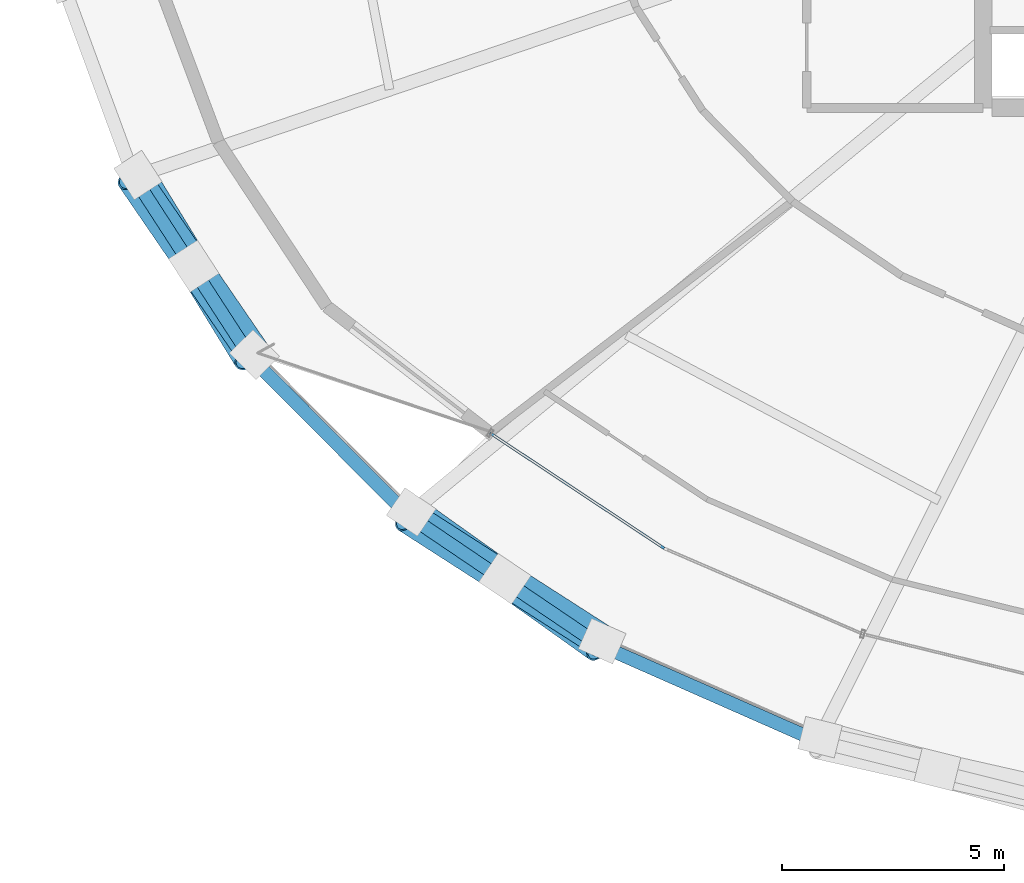
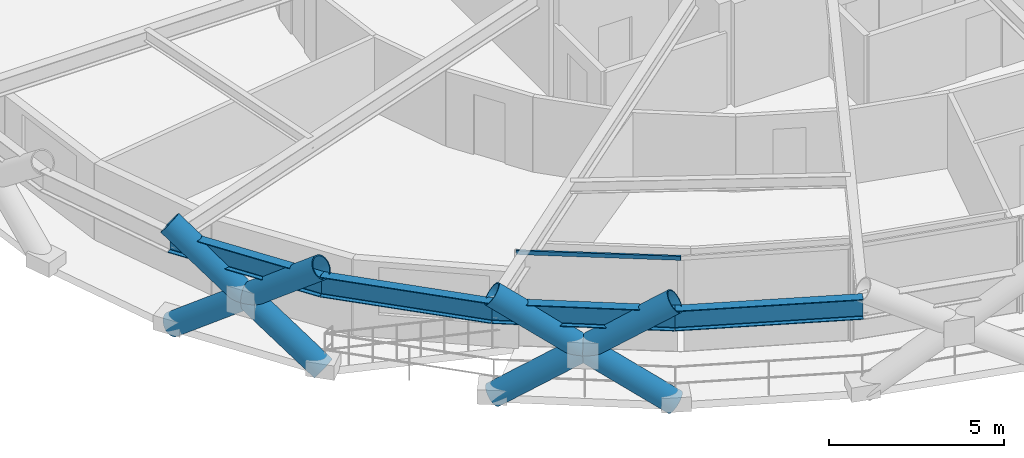
# One storey, part 1 of 19: 7 members, 4 beams, 1 element without a shape of its own.
"""IFC4 building model written with IfcOpenShell, lengths in metres."""

import ifcopenshell
import ifcopenshell.guid

model = None  # the IFC model being written
_history = None  # IfcOwnerHistory: only IFC2X3 demands one
_inside = {}  # id of a spatial element -> (the spatial element, [elements in it])
_under = {}  # id of a project, library or spatial element -> (it, [spatial elements below it])
_declared = {}  # id of a project -> (the project, [libraries it declares])
_typed = {}  # id of a type object -> (the type object, [elements of that type])
_made_of = {}  # id of a material, layer set ... -> (it, [elements and type objects made of it])


def new_model(schema):
    """Start an empty IFC model of exactly this schema.

    Asked for "IFC4X3", IfcOpenShell would pick the latest addendum, in which some entities
    have other attributes; the version numbers below select the first issue.
    IFC2X3 requires an IfcOwnerHistory on every rooted entity: one is made here for all.
    """
    global model, _history
    if schema == "IFC4X3":
        model = ifcopenshell.file(schema_version=(4, 3, 0, 0))
    else:
        model = ifcopenshell.file(schema=schema)
    _inside.clear()
    _under.clear()
    _declared.clear()
    _typed.clear()
    _made_of.clear()
    _history = None
    if model.schema == "IFC2X3":
        org = make("IfcOrganization", Name="unknown")
        user = make(
            "IfcPersonAndOrganization",
            ThePerson=make("IfcPerson", FamilyName="unknown"),
            TheOrganization=org,
        )
        app = make(
            "IfcApplication",
            ApplicationDeveloper=org,
            Version="unknown",
            ApplicationFullName="unknown",
            ApplicationIdentifier="unknown",
        )
        _history = make(
            "IfcOwnerHistory",
            OwningUser=user,
            OwningApplication=app,
            ChangeAction="ADDED",
            CreationDate=0,
        )
    return model


def make(cls, **values):
    """One entity of the class cls with the attributes given. An attribute that is None is left unset."""
    return model.create_entity(
        cls, **{name: value for name, value in values.items() if value is not None}
    )


def rooted(cls, **values):
    """An entity with a GlobalId (a new one), such as an element, a storey or a relation."""
    return make(cls, GlobalId=ifcopenshell.guid.new(), OwnerHistory=_history, **values)


def si_unit(unit_type, name, prefix=None):
    """IfcSIUnit, for example si_unit("LENGTHUNIT", "METRE", prefix="MILLI")."""
    return make("IfcSIUnit", UnitType=unit_type, Prefix=prefix, Name=name)


def assignment(units):
    """IfcUnitAssignment: the units of a project."""
    return None if units is None else make("IfcUnitAssignment", Units=units)


def point(xyz):
    """IfcCartesianPoint."""
    return None if xyz is None else make("IfcCartesianPoint", Coordinates=xyz)


def direction(xyz):
    """IfcDirection."""
    return None if xyz is None else make("IfcDirection", DirectionRatios=xyz)


def frame(location, z_axis=None, x_axis=None):
    """IfcAxis2Placement3D, a coordinate frame: its origin and axes. An axis left out is left unset."""
    return make(
        "IfcAxis2Placement3D",
        Location=point(location),
        Axis=direction(z_axis),
        RefDirection=direction(x_axis),
    )


def frame_2d(location, x_axis=None):
    """IfcAxis2Placement2D, a coordinate frame in the plane: its origin and x axis."""
    return make(
        "IfcAxis2Placement2D", Location=point(location), RefDirection=direction(x_axis)
    )


def origin():
    """The frame at (0, 0, 0) with its axes left unset."""
    return frame((0.0, 0.0, 0.0))


def origin_2d():
    """The frame at (0, 0) in the plane with its x axis left unset."""
    return frame_2d((0.0, 0.0))


def place(relative_to, where):
    """IfcLocalPlacement: puts the frame where relative to a parent placement (None: the world)."""
    return make(
        "IfcLocalPlacement", PlacementRelTo=relative_to, RelativePlacement=where
    )


def context(
    kind, dimensions, precision=None, world=None, true_north=None, identifier=None
):
    """IfcGeometricRepresentationContext, for example the 3D "Model" context."""
    return make(
        "IfcGeometricRepresentationContext",
        ContextIdentifier=identifier,
        ContextType=kind,
        CoordinateSpaceDimension=dimensions,
        Precision=precision,
        WorldCoordinateSystem=world,
        TrueNorth=true_north,
    )


def subcontext(parent, identifier, kind, view, scale=None):
    """IfcGeometricRepresentationSubContext, for example "Body" below "Model"."""
    return make(
        "IfcGeometricRepresentationSubContext",
        ContextIdentifier=identifier,
        ContextType=kind,
        ParentContext=parent,
        TargetScale=scale,
        TargetView=view,
    )


def project(units=None, contexts=None):
    """IfcProject with its units and contexts."""
    return rooted(
        "IfcProject",
        Name="project",
        RepresentationContexts=contexts,
        UnitsInContext=assignment(units),
    )


def spatial(cls, under=None, at=None, **own):
    """A site, building, storey or space (cls), placed at a placement, below another one or the project."""
    s = rooted(cls, ObjectPlacement=at, **own)
    if under is not None:
        _under.setdefault(under.id(), (under, []))[1].append(s)
    return s


def profile(cls, at=None, kind="AREA", **sizes):
    """A parametric profile (cls). Its sizes go by their IFC names, for example OverallWidth=200.0."""
    return make(cls, ProfileType=kind, Position=at, **sizes)


def hollow_rectangle(**sizes):
    """IfcRectangleHollowProfileDef."""
    return profile("IfcRectangleHollowProfileDef", **sizes)


def hollow_circle(**sizes):
    """IfcCircleHollowProfileDef."""
    return profile("IfcCircleHollowProfileDef", **sizes)


def i_section(**sizes):
    """IfcIShapeProfileDef."""
    return profile("IfcIShapeProfileDef", **sizes)


def extrude(swept, where, along, depth):
    """IfcExtrudedAreaSolid: the profile swept, set in the frame where, extruded along a direction by depth."""
    return make(
        "IfcExtrudedAreaSolid",
        SweptArea=swept,
        Position=where,
        ExtrudedDirection=direction(along),
        Depth=depth,
    )


def shape(context_of_items, identifier, shape_type, items):
    """IfcShapeRepresentation: the items that make up one representation, for example the "Body"."""
    return make(
        "IfcShapeRepresentation",
        ContextOfItems=context_of_items,
        RepresentationIdentifier=identifier,
        RepresentationType=shape_type,
        Items=items,
    )


def material(Name=None, Category=None):
    """IfcMaterial."""
    return make("IfcMaterial", Name=Name, Category=Category)


def layer(
    of_material, thickness, ventilated=None, Name=None, Category=None, Priority=None
):
    """IfcMaterialLayer: one layer of a wall or slab, of a material (None: an air gap)."""
    return make(
        "IfcMaterialLayer",
        Material=of_material,
        LayerThickness=thickness,
        IsVentilated=ventilated,
        Name=Name,
        Category=Category,
        Priority=Priority,
    )


def layer_set(layers, Name=None):
    """IfcMaterialLayerSet."""
    return make("IfcMaterialLayerSet", MaterialLayers=layers, LayerSetName=Name)


def material_profile(
    of_material, cross_section, Name=None, Category=None, Priority=None
):
    """IfcMaterialProfile: a cross section and its material."""
    return make(
        "IfcMaterialProfile",
        Name=Name,
        Material=of_material,
        Profile=cross_section,
        Priority=Priority,
        Category=Category,
    )


def profile_set(profiles, Name=None, composite=None):
    """IfcMaterialProfileSet."""
    return make(
        "IfcMaterialProfileSet",
        Name=Name,
        MaterialProfiles=profiles,
        CompositeProfile=composite,
    )


def made_of(thing, what):
    """Note that an element or type object is made of a material, layer set ...; save() writes the relation."""
    if what is not None:
        _made_of.setdefault(what.id(), (what, []))[1].append(thing)
    return thing


def type_object(cls, material=None, **own):
    """A type object (cls), such as IfcWallType, which elements share."""
    return made_of(rooted(cls, **own), material)


def element(
    cls,
    number,
    at=None,
    inside=None,
    cuts=None,
    type_object=None,
    material=None,
    context=None,
    identifier="Body",
    shape_type=None,
    held_by="IfcProductDefinitionShape",
    body=None,
    shapes=None,
    **own,
):
    """One element of the class cls, such as IfcWall. Its Tag is "e" and its number.

    at: its placement. inside: the storey or other place that contains it. cuts: it is an
    opening in that element (IfcRelVoidsElement). A single representation is given by context,
    identifier, shape_type and body (its items); several are given by shapes. held_by: the class
    of the entity that holds the representations. save() writes the other relations.
    """
    e = rooted(cls, Tag="e%d" % number, ObjectPlacement=at, **own)
    if body is not None:
        shapes = [shape(context, identifier, shape_type, body)]
    if shapes is not None:
        e.Representation = make(held_by, Representations=shapes)
    if inside is not None:
        _inside.setdefault(inside.id(), (inside, []))[1].append(e)
    if cuts is not None:
        rooted(
            "IfcRelVoidsElement", RelatingBuildingElement=cuts, RelatedOpeningElement=e
        )
    if type_object is not None:
        _typed.setdefault(type_object.id(), (type_object, []))[1].append(e)
    return made_of(e, material)


def aggregate(whole, parts):
    """IfcRelAggregates: a whole, such as a stair, and the parts it consists of."""
    return rooted("IfcRelAggregates", RelatingObject=whole, RelatedObjects=parts)


def save(model, path):
    """Write the relations noted so far, then the file.

    IfcRelAggregates (storeys below a building ...), IfcRelContainedInSpatialStructure (elements
    in a storey), IfcRelDefinesByType, IfcRelAssociatesMaterial and IfcRelDeclares: one each for
    every whole, place, type object, material and project.
    """
    for whole, parts in _under.values():
        aggregate(whole, parts)
    for where, things in _inside.values():
        rooted(
            "IfcRelContainedInSpatialStructure",
            RelatedElements=things,
            RelatingStructure=where,
        )
    for kind, things in _typed.values():
        rooted("IfcRelDefinesByType", RelatedObjects=things, RelatingType=kind)
    for what, things in _made_of.values():
        rooted("IfcRelAssociatesMaterial", RelatedObjects=things, RelatingMaterial=what)
    for by, libraries in _declared.values():
        rooted("IfcRelDeclares", RelatingContext=by, RelatedDefinitions=libraries)
    model.write(path)


model = new_model("IFC4")

# Units and contexts
model_context = context("Model", 3, precision=1e-05, world=origin(), true_north=direction((0.0, 1.0)))
body_context = subcontext(model_context, "Body", "Model", "MODEL_VIEW")
ifc_project = project(units=[si_unit("LENGTHUNIT", "METRE"), si_unit("AREAUNIT", "SQUARE_METRE"), si_unit("VOLUMEUNIT", "CUBIC_METRE"), si_unit("PLANEANGLEUNIT", "RADIAN"), si_unit("MASSUNIT", "GRAM", prefix="KILO")], contexts=[model_context])

# Site, building, storey
site_placement = place(None, origin())
site = spatial("IfcSite", under=ifc_project, at=site_placement, CompositionType="ELEMENT")
building_placement = place(site_placement, origin())
building = spatial("IfcBuilding", under=site, at=building_placement, Name="Veldorina Hangang Commons", CompositionType="ELEMENT")
storey_placement = place(building_placement, frame((0.0, 0.0, 52.0)))
storey = spatial("IfcBuildingStorey", under=building, at=storey_placement, Name="L12", CompositionType="ELEMENT", Elevation=52.0)

# Beams
ifc_material_1 = material(Name="Steel SM460-TMC", Category="steel")
ifc_material_profile_1 = material_profile(ifc_material_1, i_section(OverallWidth=0.300048828125, OverallDepth=0.699951171875, WebThickness=0.012939453125, FlangeThickness=0.02392578125, FilletRadius=0.02197265625, at=origin_2d()), Name="H-700x300x13x24")
ifc_profile_set_1 = profile_set([ifc_material_profile_1], Name="Steel SM460-TMC")
beam_type = type_object("IfcBeamType", Name="BM-RB700", PredefinedType="BEAM", material=ifc_profile_set_1)
beam_1_placement = place(storey_placement, frame((5.633056640625, 14.99169921875, 2.989990234375), z_axis=(0.543825205395, -0.839198514046, 0.0), x_axis=(0.839198514046, 0.543825205395, 0.0)))
element("IfcBeam", 1, at=beam_1_placement, inside=storey, type_object=beam_type, Name="L12 perimeter hoop ring beam 18", PredefinedType="BEAM", context=body_context, shape_type="SweptSolid", body=[
    extrude(i_section(OverallWidth=0.300048828125, OverallDepth=0.699951171875, WebThickness=0.012939453125, FlangeThickness=0.02392578125, FilletRadius=0.02197265625, at=origin_2d()), origin(), (0.0, 0.0, 1.0), 4.849365234375),
])
beam_2_placement = place(storey_placement, frame((8.270263671875, 10.922119140625, 2.989990234375), z_axis=(0.705333709409, -0.708875418089, 0.0), x_axis=(0.708875418089, 0.705333709409, 0.0)))
element("IfcBeam", 2, at=beam_2_placement, inside=storey, type_object=beam_type, Name="L12 perimeter hoop ring beam 19", PredefinedType="BEAM", context=body_context, shape_type="SweptSolid", body=[
    extrude(i_section(OverallWidth=0.300048828125, OverallDepth=0.699951171875, WebThickness=0.012939453125, FlangeThickness=0.02392578125, FilletRadius=0.02197265625, at=origin_2d()), origin(), (0.0, 0.0, 1.0), 5.0322265625),
])
beam_3_placement = place(storey_placement, frame((11.819580078125, 7.35498046875, 2.989990234375), z_axis=(0.828131507258, -0.560533858644, 0.0), x_axis=(0.560533858644, 0.828131507258, 0.0)))
element("IfcBeam", 3, at=beam_3_placement, inside=storey, type_object=beam_type, Name="L12 perimeter hoop ring beam 20", PredefinedType="BEAM", context=body_context, shape_type="SweptSolid", body=[
    extrude(i_section(OverallWidth=0.300048828125, OverallDepth=0.699951171875, WebThickness=0.012939453125, FlangeThickness=0.02392578125, FilletRadius=0.02197265625, at=origin_2d()), origin(), (0.0, 0.0, 1.0), 5.22216796875),
])
beam_4_placement = place(storey_placement, frame((16.144287109375, 4.427734375, 2.989990234375), z_axis=(0.915021043403, -0.403406110674, 0.0), x_axis=(0.403406110674, 0.915021043403, 0.0)))
element("IfcBeam", 4, at=beam_4_placement, inside=storey, type_object=beam_type, Name="L12 perimeter hoop ring beam 21", PredefinedType="BEAM", context=body_context, shape_type="SweptSolid", body=[
    extrude(i_section(OverallWidth=0.300048828125, OverallDepth=0.699951171875, WebThickness=0.012939453125, FlangeThickness=0.02392578125, FilletRadius=0.02197265625, at=origin_2d()), origin(), (0.0, 0.0, 1.0), 5.392333984375),
])

# Curtain wall, member
ifc_material_2 = material(Name="Glass Low-E Triple IGU", Category="glass")
ifc_layer = layer(ifc_material_2, 0.179931640625)
ifc_layer_set = layer_set([ifc_layer], Name="Glass Low-E Triple IGU")
curtain_wall_type = type_object("IfcCurtainWallType", Name="CW-SYS-Z1", PredefinedType="NOTDEFINED", material=ifc_layer_set)
curtain_wall_placement = place(storey_placement, origin())
curtain_wall = element("IfcCurtainWall", 5, at=curtain_wall_placement, inside=storey, type_object=curtain_wall_type, Name="L12 unitised curtain wall CW-L12-R1", PredefinedType="NOTDEFINED")
ifc_material_3 = material(Name="Aluminium Anodized AA6063-T6", Category="aluminium")
ifc_material_profile_2 = material_profile(ifc_material_3, hollow_rectangle(XDim=0.06005859375, YDim=0.139892578125, WallThickness=0.00341796875, at=origin_2d()), Name="ALU-RHS-140x60x3.5")
ifc_profile_set_2 = profile_set([ifc_material_profile_2], Name="Aluminium Anodized AA6063-T6")
member_type_1 = type_object("IfcMemberType", Name="CW-TRN-140", PredefinedType="USERDEFINED", material=ifc_profile_set_2)
member_1_placement = place(storey_placement, frame((13.67529296875, 9.210693359375, 3.260009765625), z_axis=(0.83370517386, -0.552209817986, 0.0), x_axis=(0.552209817986, 0.83370517386, 0.0)))
member_1 = element("IfcMember", 6, at=member_1_placement, type_object=member_type_1, Name="CW-L12-R1 facet 1 transom 1", ObjectType="TRANSOM", PredefinedType="USERDEFINED", context=body_context, shape_type="SweptSolid", body=[
    extrude(hollow_rectangle(XDim=0.06005859375, YDim=0.139892578125, WallThickness=0.00341796875, at=origin_2d()), origin(), (0.0, 0.0, 1.0), 4.710205078125),
])
aggregate(curtain_wall, [member_1])

# Members
ifc_material_profile_3 = material_profile(ifc_material_1, hollow_circle(Radius=0.375, WallThickness=0.035888671875, at=origin_2d()), Name="CHS-750x36")
ifc_profile_set_3 = profile_set([ifc_material_profile_3], Name="Steel SM460-TMC")
member_type_2 = type_object("IfcMemberType", Name="DG-CHS750", PredefinedType="BRACE", material=ifc_profile_set_3)
member_2_placement = place(storey_placement, frame((5.729248046875, 15.03173828125, 0.0), z_axis=(0.418751436231, -0.683914763449, 0.597417635319), x_axis=(0.852835693014, 0.522179356851, 0.0)))
element("IfcMember", 7, at=member_2_placement, inside=storey, type_object=member_type_2, Name="L12 continuous perimeter diagrid brace 18", PredefinedType="BRACE", context=body_context, shape_type="SweptSolid", body=[
    extrude(hollow_circle(Radius=0.375, WallThickness=0.035888671875, at=origin_2d()), origin(), (0.0, 0.0, 1.0), 6.026123046875),
])
member_3_placement = place(storey_placement, frame((8.35693359375, 10.97998046875, 0.0), z_axis=(-0.454280013934, 0.662383679376, 0.595715981183), x_axis=(-0.824685842174, -0.565591072877, 0.0)))
element("IfcMember", 8, at=member_3_placement, inside=storey, type_object=member_type_2, Name="L12 split perimeter diagrid lower brace 19", PredefinedType="BRACE", context=body_context, shape_type="SweptSolid", body=[
    extrude(hollow_circle(Radius=0.375, WallThickness=0.035888671875, at=origin_2d()), origin(), (0.0, 0.0, 1.0), 3.013916015625),
])
member_4_placement = place(storey_placement, frame((6.98779296875, 12.976318359375, 1.79541015625), z_axis=(-0.453766957499, 0.662677073634, 0.595780701569), x_axis=(-0.825100441357, -0.564986072104, 0.0)))
element("IfcMember", 9, at=member_4_placement, inside=storey, type_object=member_type_2, Name="L12 split perimeter diagrid upper brace 19", PredefinedType="BRACE", context=body_context, shape_type="SweptSolid", body=[
    extrude(hollow_circle(Radius=0.375, WallThickness=0.035888671875, at=origin_2d()), origin(), (0.0, 0.0, 1.0), 3.029052734375),
])
member_5_placement = place(storey_placement, frame((11.893310546875, 7.4287109375, 0.0), z_axis=(0.669907488672, -0.477044810956, 0.56890439), x_axis=(0.580061627699, 0.814572592266, 0.0)))
element("IfcMember", 10, at=member_5_placement, inside=storey, type_object=member_type_2, Name="L12 continuous perimeter diagrid brace 20", PredefinedType="BRACE", context=body_context, shape_type="SweptSolid", body=[
    extrude(hollow_circle(Radius=0.375, WallThickness=0.035888671875, at=origin_2d()), origin(), (0.0, 0.0, 1.0), 6.328125),
])
member_6_placement = place(storey_placement, frame((16.2021484375, 4.514404296875, 0.0), z_axis=(-0.693052037569, 0.444916583976, 0.567210813124), x_axis=(-0.54022749461, -0.841519015868, 0.0)))
element("IfcMember", 11, at=member_6_placement, inside=storey, type_object=member_type_2, Name="L12 split perimeter diagrid lower brace 21", PredefinedType="BRACE", context=body_context, shape_type="SweptSolid", body=[
    extrude(hollow_circle(Radius=0.375, WallThickness=0.035888671875, at=origin_2d()), origin(), (0.0, 0.0, 1.0), 3.166259765625),
])
member_7_placement = place(storey_placement, frame((14.0078125, 5.923095703125, 1.7958984375), z_axis=(-0.692697177358, 0.445475281705, 0.56720577736), x_axis=(-0.540903599833, -0.841084594847, 0.0)))
element("IfcMember", 12, at=member_7_placement, inside=storey, type_object=member_type_2, Name="L12 split perimeter diagrid upper brace 21", PredefinedType="BRACE", context=body_context, shape_type="SweptSolid", body=[
    extrude(hollow_circle(Radius=0.375, WallThickness=0.035888671875, at=origin_2d()), origin(), (0.0, 0.0, 1.0), 3.180908203125),
])

save(model, "model.ifc")
